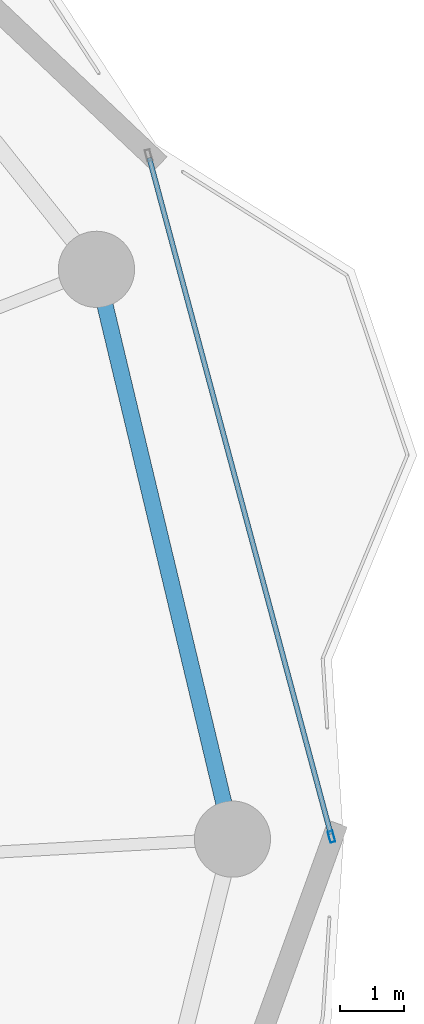
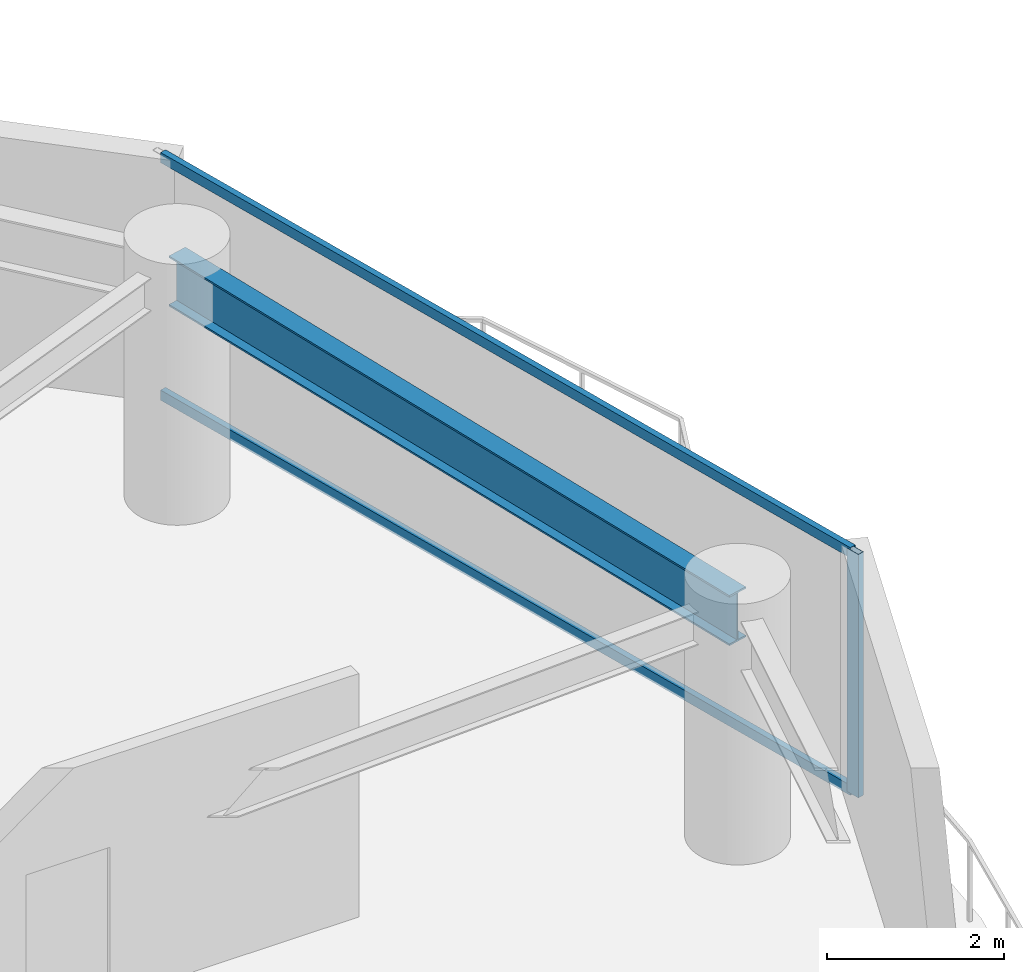
# One storey, part 15 of 28: 3 members, 1 beam, 1 element without a shape of its own.
"""IFC4 building model written with IfcOpenShell, lengths in metres."""

import ifcopenshell
import ifcopenshell.guid

model = None  # the IFC model being written
_history = None  # IfcOwnerHistory: only IFC2X3 demands one
_inside = {}  # id of a spatial element -> (the spatial element, [elements in it])
_under = {}  # id of a project, library or spatial element -> (it, [spatial elements below it])
_declared = {}  # id of a project -> (the project, [libraries it declares])
_typed = {}  # id of a type object -> (the type object, [elements of that type])
_made_of = {}  # id of a material, layer set ... -> (it, [elements and type objects made of it])


def new_model(schema):
    """Start an empty IFC model of exactly this schema.

    Asked for "IFC4X3", IfcOpenShell would pick the latest addendum, in which some entities
    have other attributes; the version numbers below select the first issue.
    IFC2X3 requires an IfcOwnerHistory on every rooted entity: one is made here for all.
    """
    global model, _history
    if schema == "IFC4X3":
        model = ifcopenshell.file(schema_version=(4, 3, 0, 0))
    else:
        model = ifcopenshell.file(schema=schema)
    _inside.clear()
    _under.clear()
    _declared.clear()
    _typed.clear()
    _made_of.clear()
    _history = None
    if model.schema == "IFC2X3":
        org = make("IfcOrganization", Name="unknown")
        user = make(
            "IfcPersonAndOrganization",
            ThePerson=make("IfcPerson", FamilyName="unknown"),
            TheOrganization=org,
        )
        app = make(
            "IfcApplication",
            ApplicationDeveloper=org,
            Version="unknown",
            ApplicationFullName="unknown",
            ApplicationIdentifier="unknown",
        )
        _history = make(
            "IfcOwnerHistory",
            OwningUser=user,
            OwningApplication=app,
            ChangeAction="ADDED",
            CreationDate=0,
        )
    return model


def make(cls, **values):
    """One entity of the class cls with the attributes given. An attribute that is None is left unset."""
    return model.create_entity(
        cls, **{name: value for name, value in values.items() if value is not None}
    )


def rooted(cls, **values):
    """An entity with a GlobalId (a new one), such as an element, a storey or a relation."""
    return make(cls, GlobalId=ifcopenshell.guid.new(), OwnerHistory=_history, **values)


def si_unit(unit_type, name, prefix=None):
    """IfcSIUnit, for example si_unit("LENGTHUNIT", "METRE", prefix="MILLI")."""
    return make("IfcSIUnit", UnitType=unit_type, Prefix=prefix, Name=name)


def assignment(units):
    """IfcUnitAssignment: the units of a project."""
    return None if units is None else make("IfcUnitAssignment", Units=units)


def point(xyz):
    """IfcCartesianPoint."""
    return None if xyz is None else make("IfcCartesianPoint", Coordinates=xyz)


def direction(xyz):
    """IfcDirection."""
    return None if xyz is None else make("IfcDirection", DirectionRatios=xyz)


def frame(location, z_axis=None, x_axis=None):
    """IfcAxis2Placement3D, a coordinate frame: its origin and axes. An axis left out is left unset."""
    return make(
        "IfcAxis2Placement3D",
        Location=point(location),
        Axis=direction(z_axis),
        RefDirection=direction(x_axis),
    )


def frame_2d(location, x_axis=None):
    """IfcAxis2Placement2D, a coordinate frame in the plane: its origin and x axis."""
    return make(
        "IfcAxis2Placement2D", Location=point(location), RefDirection=direction(x_axis)
    )


def origin():
    """The frame at (0, 0, 0) with its axes left unset."""
    return frame((0.0, 0.0, 0.0))


def origin_2d():
    """The frame at (0, 0) in the plane with its x axis left unset."""
    return frame_2d((0.0, 0.0))


def place(relative_to, where):
    """IfcLocalPlacement: puts the frame where relative to a parent placement (None: the world)."""
    return make(
        "IfcLocalPlacement", PlacementRelTo=relative_to, RelativePlacement=where
    )


def context(
    kind, dimensions, precision=None, world=None, true_north=None, identifier=None
):
    """IfcGeometricRepresentationContext, for example the 3D "Model" context."""
    return make(
        "IfcGeometricRepresentationContext",
        ContextIdentifier=identifier,
        ContextType=kind,
        CoordinateSpaceDimension=dimensions,
        Precision=precision,
        WorldCoordinateSystem=world,
        TrueNorth=true_north,
    )


def subcontext(parent, identifier, kind, view, scale=None):
    """IfcGeometricRepresentationSubContext, for example "Body" below "Model"."""
    return make(
        "IfcGeometricRepresentationSubContext",
        ContextIdentifier=identifier,
        ContextType=kind,
        ParentContext=parent,
        TargetScale=scale,
        TargetView=view,
    )


def project(units=None, contexts=None):
    """IfcProject with its units and contexts."""
    return rooted(
        "IfcProject",
        Name="project",
        RepresentationContexts=contexts,
        UnitsInContext=assignment(units),
    )


def spatial(cls, under=None, at=None, **own):
    """A site, building, storey or space (cls), placed at a placement, below another one or the project."""
    s = rooted(cls, ObjectPlacement=at, **own)
    if under is not None:
        _under.setdefault(under.id(), (under, []))[1].append(s)
    return s


def profile(cls, at=None, kind="AREA", **sizes):
    """A parametric profile (cls). Its sizes go by their IFC names, for example OverallWidth=200.0."""
    return make(cls, ProfileType=kind, Position=at, **sizes)


def hollow_rectangle(**sizes):
    """IfcRectangleHollowProfileDef."""
    return profile("IfcRectangleHollowProfileDef", **sizes)


def i_section(**sizes):
    """IfcIShapeProfileDef."""
    return profile("IfcIShapeProfileDef", **sizes)


def extrude(swept, where, along, depth):
    """IfcExtrudedAreaSolid: the profile swept, set in the frame where, extruded along a direction by depth."""
    return make(
        "IfcExtrudedAreaSolid",
        SweptArea=swept,
        Position=where,
        ExtrudedDirection=direction(along),
        Depth=depth,
    )


def shape(context_of_items, identifier, shape_type, items):
    """IfcShapeRepresentation: the items that make up one representation, for example the "Body"."""
    return make(
        "IfcShapeRepresentation",
        ContextOfItems=context_of_items,
        RepresentationIdentifier=identifier,
        RepresentationType=shape_type,
        Items=items,
    )


def material(Name=None, Category=None):
    """IfcMaterial."""
    return make("IfcMaterial", Name=Name, Category=Category)


def layer(
    of_material, thickness, ventilated=None, Name=None, Category=None, Priority=None
):
    """IfcMaterialLayer: one layer of a wall or slab, of a material (None: an air gap)."""
    return make(
        "IfcMaterialLayer",
        Material=of_material,
        LayerThickness=thickness,
        IsVentilated=ventilated,
        Name=Name,
        Category=Category,
        Priority=Priority,
    )


def layer_set(layers, Name=None):
    """IfcMaterialLayerSet."""
    return make("IfcMaterialLayerSet", MaterialLayers=layers, LayerSetName=Name)


def material_profile(
    of_material, cross_section, Name=None, Category=None, Priority=None
):
    """IfcMaterialProfile: a cross section and its material."""
    return make(
        "IfcMaterialProfile",
        Name=Name,
        Material=of_material,
        Profile=cross_section,
        Priority=Priority,
        Category=Category,
    )


def profile_set(profiles, Name=None, composite=None):
    """IfcMaterialProfileSet."""
    return make(
        "IfcMaterialProfileSet",
        Name=Name,
        MaterialProfiles=profiles,
        CompositeProfile=composite,
    )


def made_of(thing, what):
    """Note that an element or type object is made of a material, layer set ...; save() writes the relation."""
    if what is not None:
        _made_of.setdefault(what.id(), (what, []))[1].append(thing)
    return thing


def type_object(cls, material=None, **own):
    """A type object (cls), such as IfcWallType, which elements share."""
    return made_of(rooted(cls, **own), material)


def element(
    cls,
    number,
    at=None,
    inside=None,
    cuts=None,
    type_object=None,
    material=None,
    context=None,
    identifier="Body",
    shape_type=None,
    held_by="IfcProductDefinitionShape",
    body=None,
    shapes=None,
    **own,
):
    """One element of the class cls, such as IfcWall. Its Tag is "e" and its number.

    at: its placement. inside: the storey or other place that contains it. cuts: it is an
    opening in that element (IfcRelVoidsElement). A single representation is given by context,
    identifier, shape_type and body (its items); several are given by shapes. held_by: the class
    of the entity that holds the representations. save() writes the other relations.
    """
    e = rooted(cls, Tag="e%d" % number, ObjectPlacement=at, **own)
    if body is not None:
        shapes = [shape(context, identifier, shape_type, body)]
    if shapes is not None:
        e.Representation = make(held_by, Representations=shapes)
    if inside is not None:
        _inside.setdefault(inside.id(), (inside, []))[1].append(e)
    if cuts is not None:
        rooted(
            "IfcRelVoidsElement", RelatingBuildingElement=cuts, RelatedOpeningElement=e
        )
    if type_object is not None:
        _typed.setdefault(type_object.id(), (type_object, []))[1].append(e)
    return made_of(e, material)


def aggregate(whole, parts):
    """IfcRelAggregates: a whole, such as a stair, and the parts it consists of."""
    return rooted("IfcRelAggregates", RelatingObject=whole, RelatedObjects=parts)


def save(model, path):
    """Write the relations noted so far, then the file.

    IfcRelAggregates (storeys below a building ...), IfcRelContainedInSpatialStructure (elements
    in a storey), IfcRelDefinesByType, IfcRelAssociatesMaterial and IfcRelDeclares: one each for
    every whole, place, type object, material and project.
    """
    for whole, parts in _under.values():
        aggregate(whole, parts)
    for where, things in _inside.values():
        rooted(
            "IfcRelContainedInSpatialStructure",
            RelatedElements=things,
            RelatingStructure=where,
        )
    for kind, things in _typed.values():
        rooted("IfcRelDefinesByType", RelatedObjects=things, RelatingType=kind)
    for what, things in _made_of.values():
        rooted("IfcRelAssociatesMaterial", RelatedObjects=things, RelatingMaterial=what)
    for by, libraries in _declared.values():
        rooted("IfcRelDeclares", RelatingContext=by, RelatedDefinitions=libraries)
    model.write(path)


model = new_model("IFC4")

# Units and contexts
model_context = context("Model", 3, precision=1e-05, world=origin(), true_north=direction((0.0, 1.0)))
body_context = subcontext(model_context, "Body", "Model", "MODEL_VIEW")
ifc_project = project(units=[si_unit("LENGTHUNIT", "METRE"), si_unit("AREAUNIT", "SQUARE_METRE"), si_unit("VOLUMEUNIT", "CUBIC_METRE"), si_unit("PLANEANGLEUNIT", "RADIAN"), si_unit("MASSUNIT", "GRAM", prefix="KILO")], contexts=[model_context])

# Site, building, storey
site_placement = place(None, origin())
site = spatial("IfcSite", under=ifc_project, at=site_placement, CompositionType="ELEMENT")
building_placement = place(site_placement, origin())
building = spatial("IfcBuilding", under=site, at=building_placement, Name="Kazevale Care Tower and Concert Hall", CompositionType="ELEMENT")
storey_placement = place(building_placement, frame((0.0, 0.0, 135.0)))
storey = spatial("IfcBuildingStorey", under=building, at=storey_placement, Name="L35", CompositionType="ELEMENT", Elevation=135.0)

# Curtain wall, members
ifc_material_1 = material(Name="Aluminium 6063-T6 and Low-E Glass", Category="aluminium")
ifc_layer = layer(ifc_material_1, 0.179931640625)
ifc_layer_set = layer_set([ifc_layer], Name="Aluminium 6063-T6 and Low-E Glass")
curtain_wall_type = type_object("IfcCurtainWallType", Name="Waist & Upper Residential Curtain Wall CW-4", PredefinedType="NOTDEFINED", material=ifc_layer_set)
curtain_wall_placement = place(storey_placement, origin())
curtain_wall = element("IfcCurtainWall", 1, at=curtain_wall_placement, inside=storey, type_object=curtain_wall_type, Name="cw:L35:f18", PredefinedType="NOTDEFINED")
ifc_material_2 = material(Name="Aluminium 6063-T6", Category="aluminium")
ifc_material_profile_1 = material_profile(ifc_material_2, hollow_rectangle(XDim=0.080078125, YDim=0.179931640625, WallThickness=0.0048828125, at=origin_2d()), Name="ALU80x180x5")
ifc_profile_set_1 = profile_set([ifc_material_profile_1], Name="Aluminium 6063-T6")
member_type_1 = type_object("IfcMemberType", Name="CW-4 Mullion ALU80x180x5", PredefinedType="MULLION", material=ifc_profile_set_1)
member_1_placement = place(storey_placement, frame((74.609619140625, 38.03857421875, 0.0), z_axis=(0.0, 0.0, 1.0), x_axis=(0.965806263229, 0.259264848961, 0.0)))
member_1 = element("IfcMember", 2, at=member_1_placement, type_object=member_type_1, Name="CW-4 mullion 2", PredefinedType="MULLION", context=body_context, shape_type="SweptSolid", body=[
    extrude(hollow_rectangle(XDim=0.080078125, YDim=0.179931640625, WallThickness=0.0048828125, at=origin_2d()), origin(), (0.0, 0.0, 1.0), 3.360107421875),
])
ifc_material_profile_2 = material_profile(ifc_material_2, hollow_rectangle(XDim=0.080078125, YDim=0.139892578125, WallThickness=0.00390625, at=origin_2d()), Name="ALU80x140x4")
ifc_profile_set_2 = profile_set([ifc_material_profile_2], Name="Aluminium 6063-T6")
member_type_2 = type_object("IfcMemberType", Name="CW-4 Transom ALU80x140x4", PredefinedType="USERDEFINED", material=ifc_profile_set_2)
member_2_placement = place(storey_placement, frame((71.74072265625, 48.725830078125, 0.0400390625), z_axis=(0.259270636335, -0.965804709625, 0.0), x_axis=(0.965804709625, 0.259270636335, 0.0)))
member_2 = element("IfcMember", 3, at=member_2_placement, type_object=member_type_2, Name="CW-4 transom 1.1", ObjectType="TRANSOM", PredefinedType="USERDEFINED", context=body_context, shape_type="SweptSolid", body=[
    extrude(hollow_rectangle(XDim=0.080078125, YDim=0.139892578125, WallThickness=0.00390625, at=origin_2d()), origin(), (0.0, 0.0, 1.0), 11.025634765625),
])
member_3_placement = place(storey_placement, frame((71.74072265625, 48.725830078125, 3.320068359375), z_axis=(0.259270636335, -0.965804709625, 0.0), x_axis=(0.965804709625, 0.259270636335, 0.0)))
member_3 = element("IfcMember", 4, at=member_3_placement, type_object=member_type_2, Name="CW-4 transom 1.2", ObjectType="TRANSOM", PredefinedType="USERDEFINED", context=body_context, shape_type="SweptSolid", body=[
    extrude(hollow_rectangle(XDim=0.080078125, YDim=0.139892578125, WallThickness=0.00390625, at=origin_2d()), origin(), (0.0, 0.0, 1.0), 11.025634765625),
])
aggregate(curtain_wall, [member_1, member_2, member_3])

# Beam
ifc_material_3 = material(Name="Steel ASTM A572 Gr 50", Category="steel")
ifc_material_profile_3 = material_profile(ifc_material_3, i_section(OverallWidth=0.256103515625, OverallDepth=0.693115234375, WebThickness=0.014404296875, FlangeThickness=0.023681640625, at=origin_2d()), Name="W690x170")
ifc_profile_set_3 = profile_set([ifc_material_profile_3], Name="Steel ASTM A572 Gr 50")
beam_type = type_object("IfcBeamType", Name="Waist Ring Beam W690x170", PredefinedType="BEAM", material=ifc_profile_set_3)
beam_placement = place(storey_placement, frame((73.050048828125, 38.0, 3.013427734375), z_axis=(-0.232075055882, 0.972697881378, 0.0), x_axis=(-0.972697881378, -0.232075055882, 0.0)))
element("IfcBeam", 5, at=beam_placement, inside=storey, type_object=beam_type, Name="beam:L35:ring:01", PredefinedType="BEAM", context=body_context, shape_type="SweptSolid", body=[
    extrude(i_section(OverallWidth=0.256103515625, OverallDepth=0.693115234375, WebThickness=0.014404296875, FlangeThickness=0.023681640625, at=origin_2d()), origin(), (0.0, 0.0, 1.0), 9.2216796875),
])

save(model, "model.ifc")
